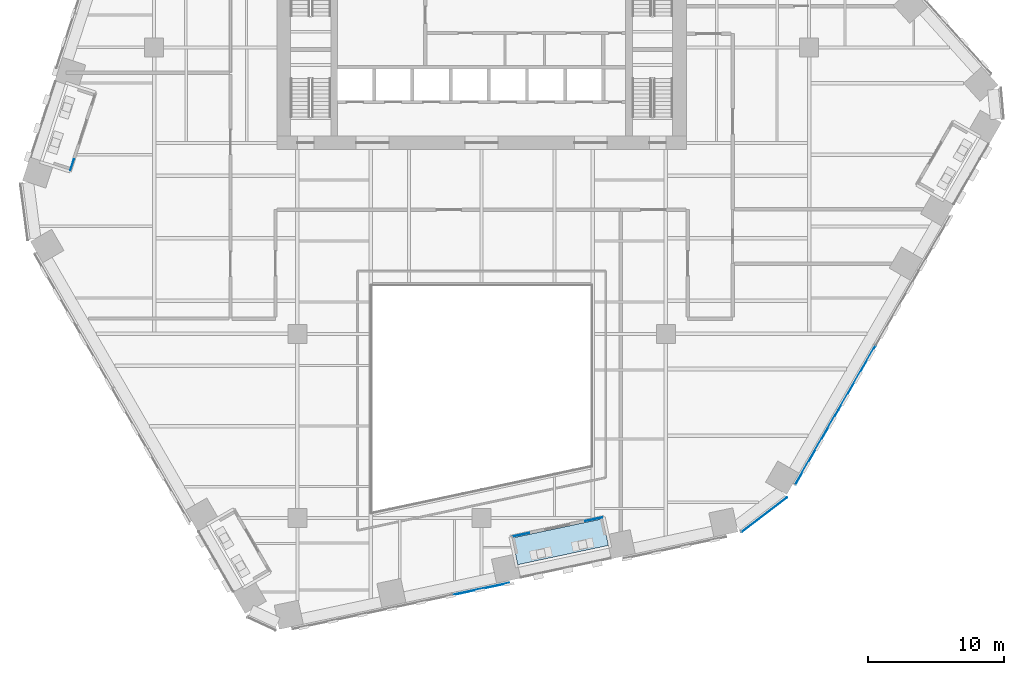
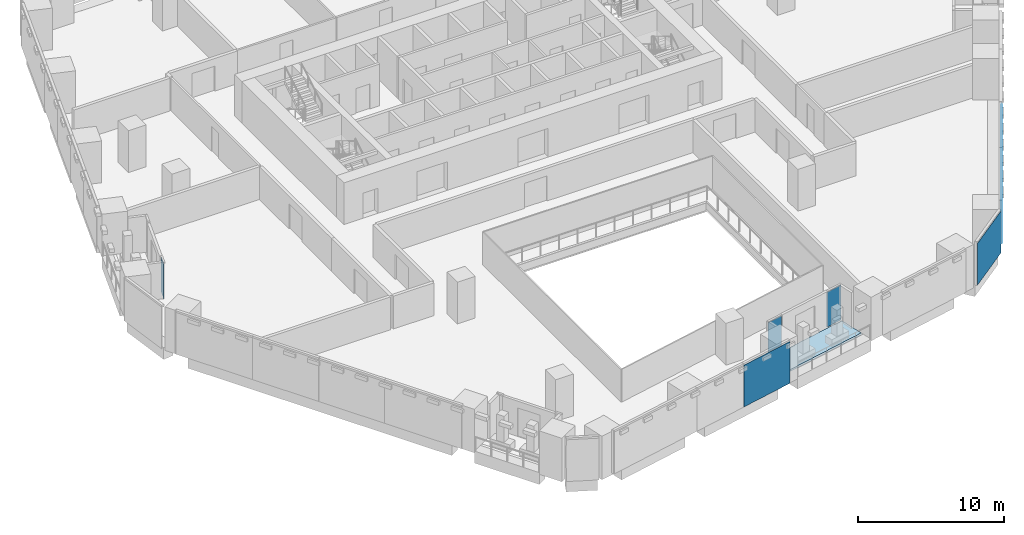
# One storey, part 17 of 31: 7 plates, 1 slab, 5 elements without a shape of their own.
"""IFC4 building model written with IfcOpenShell, lengths in metres."""

from ifc_helpers import new_model, si_unit, direction, frame, origin, origin_2d, place, context, subcontext, project, spatial, polyline, rectangle, outline, extrude, material, layer, layer_set, type_object, element, aggregate, save


model = new_model("IFC4")

# Units and contexts
model_context = context("Model", 3, precision=1e-05, world=origin(), true_north=direction((0.0, 1.0)))
body_context = subcontext(model_context, "Body", "Model", "MODEL_VIEW")
ifc_project = project(units=[si_unit("LENGTHUNIT", "METRE"), si_unit("AREAUNIT", "SQUARE_METRE"), si_unit("VOLUMEUNIT", "CUBIC_METRE"), si_unit("PLANEANGLEUNIT", "RADIAN"), si_unit("MASSUNIT", "GRAM", prefix="KILO")], contexts=[model_context])

# Site, building, storey
site_placement = place(None, origin())
site = spatial("IfcSite", under=ifc_project, at=site_placement, CompositionType="ELEMENT")
building_placement = place(site_placement, origin())
building = spatial("IfcBuilding", under=site, at=building_placement, Name="Isthmus Gate Tower", CompositionType="ELEMENT")
storey_placement = place(building_placement, frame((0.0, 0.0, 39.64990234375)))
storey = spatial("IfcBuildingStorey", under=building, at=storey_placement, Name="L07", CompositionType="ELEMENT", Elevation=39.64990234375)

# Curtain wall, plate
ifc_material_1 = material(Name="Aluminium, pale champagne anodised", Category="aluminium")
ifc_layer_1 = layer(ifc_material_1, 0.199951171875)
ifc_layer_set_1 = layer_set([ifc_layer_1], Name="CW-1 UNITISED CURTAIN WALL 200 DEEP")
curtain_wall_type_1 = type_object("IfcCurtainWallType", Name="CW-1 UNITISED CURTAIN WALL 200 DEEP", PredefinedType="NOTDEFINED", material=ifc_layer_set_1)
curtain_wall_1_placement = place(storey_placement, origin())
curtain_wall_1 = element("IfcCurtainWall", 1, at=curtain_wall_1_placement, inside=storey, type_object=curtain_wall_type_1, Name="CW-1 S L07", PredefinedType="NOTDEFINED")
ifc_material_2 = material(Name="Laminated low-iron glass, pale blue tint", Category="glass")
ifc_layer_2 = layer(ifc_material_2, 0.0400390625)
ifc_layer_set_2 = layer_set([ifc_layer_2], Name="CW-1 CLEAR GLASS LITE 40")
plate_type_1 = type_object("IfcPlateType", Name="CW-1 CLEAR GLASS LITE 40", PredefinedType="CURTAIN_PANEL", material=ifc_layer_set_2)
plate_1_placement = place(storey_placement, frame((-0.055908203125, -32.19580078125, 0.0), z_axis=(0.0, 0.0, 1.0), x_axis=(0.978147600734, 0.207911690818, 0.0)))
plate_1 = element("IfcPlate", 2, at=plate_1_placement, type_object=plate_type_1, Name="CW-1 glass lite", PredefinedType="CURTAIN_PANEL", context=body_context, shape_type="SweptSolid", body=[
    extrude(rectangle(XDim=4.234619140625, YDim=0.0400390625, at=origin_2d()), origin(), (0.0, 0.0, 1.0), 3.5),
])
aggregate(curtain_wall_1, [plate_1])

curtain_wall_2_placement = place(storey_placement, origin())
curtain_wall_2 = element("IfcCurtainWall", 3, at=curtain_wall_2_placement, inside=storey, type_object=curtain_wall_type_1, Name="CW-1 S-SE L07", PredefinedType="NOTDEFINED")
plate_2_placement = place(storey_placement, frame((20.711669921875, -26.75732421875, 0.0), z_axis=(0.0, 0.0, 1.0), x_axis=(0.794188594387, 0.607671355706, 0.0)))
plate_2 = element("IfcPlate", 4, at=plate_2_placement, type_object=plate_type_1, Name="CW-1 glass lite", PredefinedType="CURTAIN_PANEL", context=body_context, shape_type="SweptSolid", body=[
    extrude(rectangle(XDim=4.181396484375, YDim=0.0400390625, at=origin_2d()), origin(), (0.0, 0.0, 1.0), 3.5),
])
aggregate(curtain_wall_2, [plate_2])

# Curtain wall, plates
curtain_wall_3_placement = place(storey_placement, origin())
curtain_wall_3 = element("IfcCurtainWall", 5, at=curtain_wall_3_placement, inside=storey, type_object=curtain_wall_type_1, Name="CW-1 SE L07", PredefinedType="NOTDEFINED")
plate_3_placement = place(storey_placement, frame((24.5673828125, -21.80810546875, 0.0), z_axis=(0.0, 0.0, 1.0), x_axis=(0.5, 0.866025403784, 0.0)))
plate_3 = element("IfcPlate", 6, at=plate_3_placement, type_object=plate_type_1, Name="CW-1 glass lite", PredefinedType="CURTAIN_PANEL", context=body_context, shape_type="SweptSolid", body=[
    extrude(rectangle(XDim=6.278564453125, YDim=0.0400390625, at=origin_2d()), origin(), (0.0, 0.0, 1.0), 3.5),
])
plate_4_placement = place(storey_placement, frame((27.49658203125, -16.734375, 0.0), z_axis=(0.0, 0.0, 1.0), x_axis=(0.5, 0.866025403784, 0.0)))
plate_4 = element("IfcPlate", 7, at=plate_4_placement, type_object=plate_type_1, Name="CW-1 glass lite", PredefinedType="CURTAIN_PANEL", context=body_context, shape_type="SweptSolid", body=[
    extrude(rectangle(XDim=5.4384765625, YDim=0.0400390625, at=origin_2d()), origin(), (0.0, 0.0, 1.0), 3.5),
])
aggregate(curtain_wall_3, [plate_3, plate_4])

# Curtain wall, plate
ifc_material_3 = material(Name="Aluminium, pale champagne anodised", Category="aluminium")
ifc_layer_3 = layer(ifc_material_3, 0.14990234375)
ifc_layer_set_3 = layer_set([ifc_layer_3], Name="CW-6 LOGGIA BACK WALL GLAZING 150 DEEP")
curtain_wall_type_2 = type_object("IfcCurtainWallType", Name="CW-6 LOGGIA BACK WALL GLAZING 150 DEEP", PredefinedType="NOTDEFINED", material=ifc_layer_set_3)
curtain_wall_4_placement = place(storey_placement, origin())
curtain_wall_4 = element("IfcCurtainWall", 8, at=curtain_wall_4_placement, inside=storey, type_object=curtain_wall_type_2, Name="CW-6 NW L07", PredefinedType="NOTDEFINED")
ifc_material_4 = material(Name="Laminated low-iron glass, clear", Category="glass")
ifc_layer_4 = layer(ifc_material_4, 0.031982421875)
ifc_layer_set_4 = layer_set([ifc_layer_4], Name="CW-6 CLEAR GLASS LITE 32")
plate_type_2 = type_object("IfcPlateType", Name="CW-6 CLEAR GLASS LITE 32", PredefinedType="CURTAIN_PANEL", material=ifc_layer_set_4)
plate_5_placement = place(storey_placement, frame((-30.010986328125, -1.105224609375, 0.0), z_axis=(0.0, 0.0, 1.0), x_axis=(-0.309016994375, -0.951056516295, 0.0)))
plate_5 = element("IfcPlate", 9, at=plate_5_placement, type_object=plate_type_2, Name="CW-6 glass lite", PredefinedType="CURTAIN_PANEL", context=body_context, shape_type="SweptSolid", body=[
    extrude(rectangle(XDim=0.8447265625, YDim=0.031982421875, at=origin_2d()), origin(), (0.0, 0.0, 1.0), 2.929931640625),
])
aggregate(curtain_wall_4, [plate_5])

# Curtain wall, plates
curtain_wall_5_placement = place(storey_placement, origin())
curtain_wall_5 = element("IfcCurtainWall", 10, at=curtain_wall_5_placement, inside=storey, type_object=curtain_wall_type_2, Name="CW-6 S L07", PredefinedType="NOTDEFINED")
plate_6_placement = place(storey_placement, frame((2.8759765625, -28.219482421875, 0.0), z_axis=(0.0, 0.0, 1.0), x_axis=(0.978147600734, 0.207911690818, 0.0)))
plate_6 = element("IfcPlate", 11, at=plate_6_placement, type_object=plate_type_2, Name="CW-6 glass lite", PredefinedType="CURTAIN_PANEL", context=body_context, shape_type="SweptSolid", body=[
    extrude(rectangle(XDim=1.234619140625, YDim=0.031982421875, at=origin_2d()), origin(), (0.0, 0.0, 1.0), 2.929931640625),
])
plate_7_placement = place(storey_placement, frame((8.221435546875, -27.083251953125, 0.0), z_axis=(0.0, 0.0, 1.0), x_axis=(0.978147600734, 0.207911690818, 0.0)))
plate_7 = element("IfcPlate", 12, at=plate_7_placement, type_object=plate_type_2, Name="CW-6 glass lite", PredefinedType="CURTAIN_PANEL", context=body_context, shape_type="SweptSolid", body=[
    extrude(rectangle(XDim=1.294677734375, YDim=0.031982421875, at=origin_2d()), origin(), (0.0, 0.0, 1.0), 2.929931640625),
])
aggregate(curtain_wall_5, [plate_6, plate_7])

# Slab
ifc_material_5 = material(Name="Concrete f'c 50 MPa", Category="concrete")
ifc_layer_5 = layer(ifc_material_5, 0.14990234375)
ifc_layer_set_5 = layer_set([ifc_layer_5], Name="LOGGIA FLOOR SLAB 150")
slab_type = type_object("IfcSlabType", Name="LOGGIA FLOOR SLAB 150", PredefinedType="FLOOR", material=ifc_layer_set_5)
slab_placement = place(storey_placement, frame((0.0, 0.0, -0.14990234375)))
element("IfcSlab", 13, at=slab_placement, inside=storey, type_object=slab_type, Name="LOGGIA FLOOR", PredefinedType="FLOOR", context=body_context, shape_type="SweptSolid", body=[
    extrude(outline(polyline([(2.650146484375, -30.414306640625), (9.291015625, -29.002685546875), (8.875244140625, -27.04638671875), (2.234375, -28.4580078125), (2.650146484375, -30.414306640625)])), origin(), (0.0, 0.0, 1.0), 0.14990234375),
])

save(model, "model.ifc")
